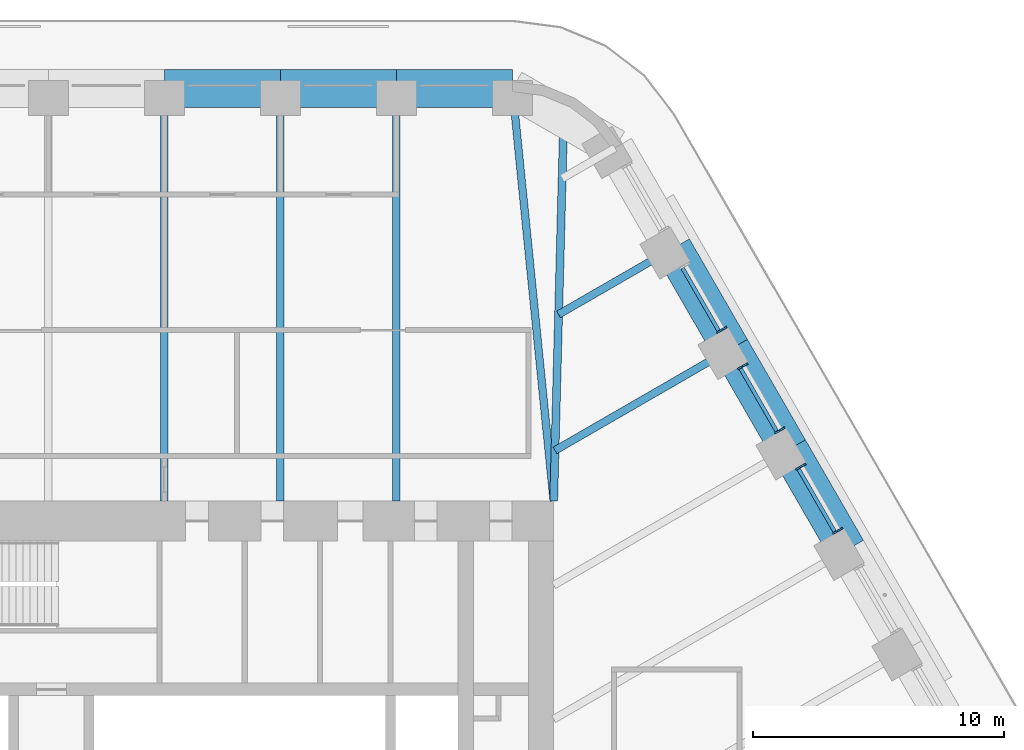
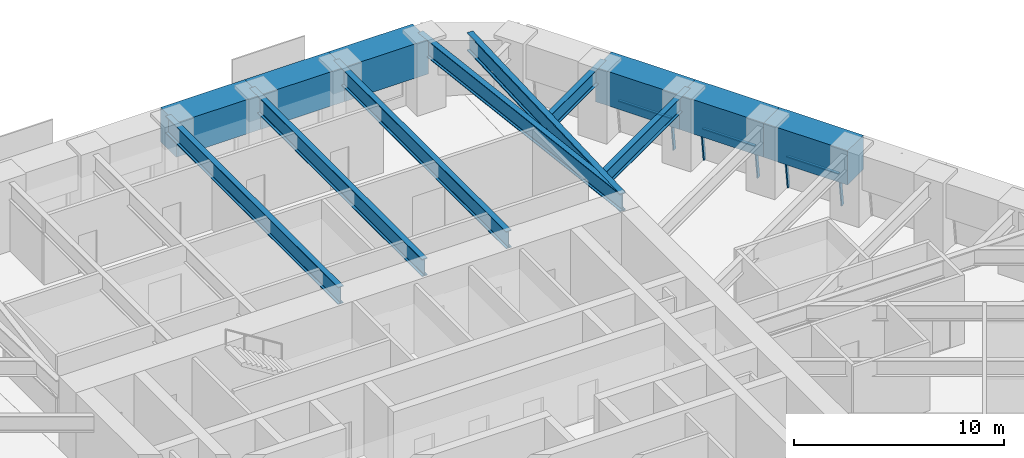
# One storey, part 11 of 20: 13 beams, 8 members, 3 elements without a shape of their own.
"""IFC4 building model written with IfcOpenShell, lengths in metres."""

from ifc_helpers import new_model, si_unit, direction, frame, origin, origin_2d, place, context, subcontext, project, spatial, rectangle, i_section, extrude, material, material_profile, profile_set, type_object, element, aggregate, save


model = new_model("IFC4")

# Units and contexts
model_context = context("Model", 3, precision=1e-05, world=origin(), true_north=direction((0.0, 1.0)))
body_context = subcontext(model_context, "Body", "Model", "MODEL_VIEW")
ifc_project = project(units=[si_unit("LENGTHUNIT", "METRE"), si_unit("AREAUNIT", "SQUARE_METRE"), si_unit("VOLUMEUNIT", "CUBIC_METRE"), si_unit("PLANEANGLEUNIT", "RADIAN"), si_unit("MASSUNIT", "GRAM", prefix="KILO")], contexts=[model_context])

# Site, building, storey
site_placement = place(None, origin())
site = spatial("IfcSite", under=ifc_project, at=site_placement, CompositionType="ELEMENT")
building_placement = place(site_placement, origin())
building = spatial("IfcBuilding", under=site, at=building_placement, Name="Tarfa Lantern Tower", CompositionType="ELEMENT")
storey_placement = place(building_placement, frame((0.0, 0.0, 219.699951171875)))
storey = spatial("IfcBuildingStorey", under=building, at=storey_placement, Name="L49", CompositionType="ELEMENT", Elevation=219.699951171875)

# Curtain wall, members
ifc_material_1 = material(Name="Aluminium framed curtain wall", Category="aluminium")
curtain_wall_type = type_object("IfcCurtainWallType", Name="CW3 CANTED GLAZING HIGH ZONE 2000", PredefinedType="USERDEFINED", material=ifc_material_1)
curtain_wall_1_placement = place(storey_placement, origin())
curtain_wall_1 = element("IfcCurtainWall", 1, at=curtain_wall_1_placement, inside=storey, type_object=curtain_wall_type, Name="CW3 NE L49", ObjectType="CURTAIN WALL", PredefinedType="USERDEFINED")
ifc_material_2 = material(Name="Aluminium mullion", Category="aluminium")
ifc_material_profile_1 = material_profile(ifc_material_2, rectangle(XDim=0.06494140625, YDim=0.199951171875, at=origin_2d()), Name="AL MULLION 65x200")
ifc_profile_set_1 = profile_set([ifc_material_profile_1], Name="Aluminium mullion")
member_type_1 = type_object("IfcMemberType", Name="CWM1 MULLION 65x200", PredefinedType="MULLION", material=ifc_profile_set_1)
member_1_placement = place(storey_placement, frame((26.92138671875, 11.1708984375, 0.0), z_axis=(-0.107439978116, -0.062017213975, 0.992275423596), x_axis=(0.499919672301, -0.866071776036, 0.0)))
member_1 = element("IfcMember", 2, at=member_1_placement, type_object=member_type_1, Name="CW3 mullion 1", PredefinedType="MULLION", context=body_context, shape_type="SweptSolid", body=[
    extrude(rectangle(XDim=0.06494140625, YDim=0.199951171875, at=origin_2d()), origin(), (0.0, 0.0, 1.0), 2.015625),
])
member_2_placement = place(storey_placement, frame((25.4443359375, 13.72900390625, 0.0), z_axis=(-0.107439978116, -0.062017213975, 0.992275423596), x_axis=(0.499919672301, -0.866071776036, 0.0)))
member_2 = element("IfcMember", 3, at=member_2_placement, type_object=member_type_1, Name="CW3 mullion 2", PredefinedType="MULLION", context=body_context, shape_type="SweptSolid", body=[
    extrude(rectangle(XDim=0.06494140625, YDim=0.199951171875, at=origin_2d()), origin(), (0.0, 0.0, 1.0), 2.015625),
])

curtain_wall_2_placement = place(storey_placement, origin())
curtain_wall_2 = element("IfcCurtainWall", 4, at=curtain_wall_2_placement, inside=storey, type_object=curtain_wall_type, Name="CW3 NE L49", ObjectType="CURTAIN WALL", PredefinedType="USERDEFINED")
member_3_placement = place(storey_placement, frame((24.61181640625, 15.1708984375, 0.0), z_axis=(-0.107439978116, -0.062017213975, 0.992275423596), x_axis=(0.499919672301, -0.866071776036, 0.0)))
member_3 = element("IfcMember", 5, at=member_3_placement, type_object=member_type_1, Name="CW3 mullion 1", PredefinedType="MULLION", context=body_context, shape_type="SweptSolid", body=[
    extrude(rectangle(XDim=0.06494140625, YDim=0.199951171875, at=origin_2d()), origin(), (0.0, 0.0, 1.0), 2.015625),
])
member_4_placement = place(storey_placement, frame((23.135009765625, 17.72900390625, 0.0), z_axis=(-0.107439978116, -0.062017213975, 0.992275423596), x_axis=(0.499919672301, -0.866071776036, 0.0)))
member_4 = element("IfcMember", 6, at=member_4_placement, type_object=member_type_1, Name="CW3 mullion 2", PredefinedType="MULLION", context=body_context, shape_type="SweptSolid", body=[
    extrude(rectangle(XDim=0.06494140625, YDim=0.199951171875, at=origin_2d()), origin(), (0.0, 0.0, 1.0), 2.015625),
])

# Curtain wall, member
curtain_wall_3_placement = place(storey_placement, origin())
curtain_wall_3 = element("IfcCurtainWall", 7, at=curtain_wall_3_placement, inside=storey, type_object=curtain_wall_type, Name="CW3 NE L49", ObjectType="CURTAIN WALL", PredefinedType="USERDEFINED")
member_5_placement = place(storey_placement, frame((22.302490234375, 19.1708984375, 0.0), z_axis=(-0.107439978116, -0.062017213975, 0.992275423596), x_axis=(0.499919672301, -0.866071776036, 0.0)))
member_5 = element("IfcMember", 8, at=member_5_placement, type_object=member_type_1, Name="CW3 mullion 1", PredefinedType="MULLION", context=body_context, shape_type="SweptSolid", body=[
    extrude(rectangle(XDim=0.06494140625, YDim=0.199951171875, at=origin_2d()), origin(), (0.0, 0.0, 1.0), 2.015625),
])

# Member
ifc_material_3 = material(Name="Aluminium transom", Category="aluminium")
ifc_material_profile_2 = material_profile(ifc_material_3, rectangle(XDim=0.14990234375, YDim=0.06494140625, at=origin_2d()), Name="AL TRANSOM 150x65")
ifc_profile_set_2 = profile_set([ifc_material_profile_2], Name="Aluminium transom")
member_type_2 = type_object("IfcMemberType", Name="CWT1 TRANSOM 150x65", PredefinedType="USERDEFINED", material=ifc_profile_set_2)
member_6_placement = place(storey_placement, frame((26.692138671875, 11.076171875, 1.967529296875), z_axis=(-0.500056524144, 0.865992767095, 0.0), x_axis=(-0.865992767095, -0.500056524144, 0.0)))
member_6 = element("IfcMember", 9, at=member_6_placement, type_object=member_type_2, Name="CW3 transom 1.2", ObjectType="TRANSOM", PredefinedType="USERDEFINED", context=body_context, shape_type="SweptSolid", body=[
    extrude(rectangle(XDim=0.14990234375, YDim=0.06494140625, at=origin_2d()), origin(), (0.0, 0.0, 1.0), 2.888916015625),
])

aggregate(curtain_wall_1, [member_1, member_2, member_6])

member_7_placement = place(storey_placement, frame((24.382568359375, 15.076171875, 1.967529296875), z_axis=(-0.499993141028, 0.866029363778, 0.0), x_axis=(-0.866029363778, -0.499993141028, 0.0)))
member_7 = element("IfcMember", 10, at=member_7_placement, type_object=member_type_2, Name="CW3 transom 1.2", ObjectType="TRANSOM", PredefinedType="USERDEFINED", context=body_context, shape_type="SweptSolid", body=[
    extrude(rectangle(XDim=0.14990234375, YDim=0.06494140625, at=origin_2d()), origin(), (0.0, 0.0, 1.0), 2.888671875),
])

aggregate(curtain_wall_2, [member_3, member_4, member_7])

member_8_placement = place(storey_placement, frame((22.0732421875, 19.076171875, 1.967529296875), z_axis=(-0.499993141028, 0.866029363778, 0.0), x_axis=(-0.866029363778, -0.499993141028, 0.0)))
member_8 = element("IfcMember", 11, at=member_8_placement, type_object=member_type_2, Name="CW3 transom 1.2", ObjectType="TRANSOM", PredefinedType="USERDEFINED", context=body_context, shape_type="SweptSolid", body=[
    extrude(rectangle(XDim=0.14990234375, YDim=0.06494140625, at=origin_2d()), origin(), (0.0, 0.0, 1.0), 2.888671875),
])

aggregate(curtain_wall_3, [member_5, member_8])

# Beams
ifc_material_4 = material(Name="Concrete C80/95", Category="concrete")
ifc_material_profile_3 = material_profile(ifc_material_4, rectangle(XDim=1.5, YDim=2.0, at=origin_2d()), Name="RC 1500x2000")
ifc_profile_set_3 = profile_set([ifc_material_profile_3], Name="Concrete C80/95")
beam_type_1 = type_object("IfcBeamType", Name="RB3 RC 1500x2000", PredefinedType="BEAM", material=ifc_profile_set_3)
beam_1_placement = place(storey_placement, frame((27.181640625, 10.360107421875, 3.0), z_axis=(-0.499987836815, 0.866032426089, 0.0), x_axis=(-0.866032426089, -0.499987836815, 0.0)))
element("IfcBeam", 12, at=beam_1_placement, inside=storey, type_object=beam_type_1, Name="Edge beam NE2", PredefinedType="BEAM", context=body_context, shape_type="SweptSolid", body=[
    extrude(rectangle(XDim=1.5, YDim=2.0, at=origin_2d()), origin(), (0.0, 0.0, 1.0), 4.61865234375),
])
beam_2_placement = place(storey_placement, frame((24.872314453125, 14.360107421875, 3.0), z_axis=(-0.500027479704, 0.866009537788, 0.0), x_axis=(-0.866009537788, -0.500027479704, 0.0)))
element("IfcBeam", 13, at=beam_2_placement, inside=storey, type_object=beam_type_1, Name="Edge beam NE3", PredefinedType="BEAM", context=body_context, shape_type="SweptSolid", body=[
    extrude(rectangle(XDim=1.5, YDim=2.0, at=origin_2d()), origin(), (0.0, 0.0, 1.0), 4.618896484375),
])
beam_3_placement = place(storey_placement, frame((22.562744140625, 18.360107421875, 3.0), z_axis=(-0.499987836815, 0.866032426089, 0.0), x_axis=(-0.866032426089, -0.499987836815, 0.0)))
element("IfcBeam", 14, at=beam_3_placement, inside=storey, type_object=beam_type_1, Name="Edge beam NE4", PredefinedType="BEAM", context=body_context, shape_type="SweptSolid", body=[
    extrude(rectangle(XDim=1.5, YDim=2.0, at=origin_2d()), origin(), (0.0, 0.0, 1.0), 4.61865234375),
])
beam_4_placement = place(storey_placement, frame((13.8564453125, 28.719970703125, 3.0), z_axis=(-1.0, 0.0, 0.0), x_axis=(0.0, -1.0, 0.0)))
element("IfcBeam", 15, at=beam_4_placement, inside=storey, type_object=beam_type_1, Name="Edge beam N0", PredefinedType="BEAM", context=body_context, shape_type="SweptSolid", body=[
    extrude(rectangle(XDim=1.5, YDim=2.0, at=origin_2d()), origin(), (0.0, 0.0, 1.0), 4.618896484375),
])
beam_5_placement = place(storey_placement, frame((9.237548828125, 28.719970703125, 3.0), z_axis=(-1.0, 0.0, 0.0), x_axis=(0.0, -1.0, 0.0)))
element("IfcBeam", 16, at=beam_5_placement, inside=storey, type_object=beam_type_1, Name="Edge beam N1", PredefinedType="BEAM", context=body_context, shape_type="SweptSolid", body=[
    extrude(rectangle(XDim=1.5, YDim=2.0, at=origin_2d()), origin(), (0.0, 0.0, 1.0), 4.61865234375),
])
beam_6_placement = place(storey_placement, frame((4.618896484375, 28.719970703125, 3.0), z_axis=(-1.0, 0.0, 0.0), x_axis=(0.0, -1.0, 0.0)))
element("IfcBeam", 17, at=beam_6_placement, inside=storey, type_object=beam_type_1, Name="Edge beam N2", PredefinedType="BEAM", context=body_context, shape_type="SweptSolid", body=[
    extrude(rectangle(XDim=1.5, YDim=2.0, at=origin_2d()), origin(), (0.0, 0.0, 1.0), 4.618896484375),
])
ifc_material_5 = material(Name="Steel S460M", Category="steel")
ifc_material_profile_4 = material_profile(ifc_material_5, i_section(OverallWidth=0.302001953125, OverallDepth=1.008056640625, WebThickness=0.02099609375, FlangeThickness=0.0400390625, FilletRadius=0.030029296875, at=origin_2d()), Name="UB1016x305x349")
ifc_profile_set_4 = profile_set([ifc_material_profile_4], Name="Steel S460M")
beam_type_2 = type_object("IfcBeamType", Name="UB1016x305x349", PredefinedType="BEAM", material=ifc_profile_set_4)
beam_7_placement = place(storey_placement, frame((13.8564453125, 28.719970703125, 3.49609375), z_axis=(0.099597466746, -0.995027810977, 0.0), x_axis=(0.995027810977, 0.099597466746, 0.0)))
element("IfcBeam", 18, at=beam_7_placement, inside=storey, type_object=beam_type_2, Name="Floor beam N0", PredefinedType="BEAM", context=body_context, shape_type="SweptSolid", body=[
    extrude(i_section(OverallWidth=0.302001953125, OverallDepth=1.008056640625, WebThickness=0.02099609375, FlangeThickness=0.0400390625, FilletRadius=0.030029296875, at=origin_2d()), origin(), (0.0, 0.0, 1.0), 16.501953125),
])
for number, where, z_axis, x_axis, name in (
    (19, (9.237548828125, 28.719970703125, 3.49609375), (0.0, -1.0, 0.0), (1.0, 0.0, 0.0), "Floor beam N1"),
    (20, (4.618896484375, 28.719970703125, 3.49609375), (0.0, -1.0, 0.0), (1.0, 0.0, 0.0), "Floor beam N2"),
    (21, (0.0, 28.719970703125, 3.49609375), (0.0, -1.0, 0.0), (1.0, 0.0, 0.0), "Floor beam N3"),
):
    element("IfcBeam", number, at=place(storey_placement, frame(where, z_axis=z_axis, x_axis=x_axis)), inside=storey, type_object=beam_type_2, Name=name, PredefinedType="BEAM", context=body_context, shape_type="SweptSolid", body=[
        extrude(i_section(OverallWidth=0.302001953125, OverallDepth=1.008056640625, WebThickness=0.02099609375, FlangeThickness=0.0400390625, FilletRadius=0.030029296875, at=origin_2d()), origin(), (0.0, 0.0, 1.0), 16.419921875),
    ])
ifc_material_profile_5 = material_profile(ifc_material_5, i_section(OverallWidth=0.314208984375, OverallDepth=1.055908203125, WebThickness=0.035888671875, FlangeThickness=0.06396484375, FilletRadius=0.030029296875, at=origin_2d()), Name="UB1016x305x584")
ifc_profile_set_5 = profile_set([ifc_material_profile_5], Name="Steel S460M")
beam_type_3 = type_object("IfcBeamType", Name="UB1016x305x584", PredefinedType="BEAM", material=ifc_profile_set_5)
beam_8_placement = place(storey_placement, frame((15.5, 12.300048828125, 3.47216796875), z_axis=(0.026247301989, 0.999655480222, 0.0), x_axis=(-0.999655480222, 0.026247301989, 0.0)))
element("IfcBeam", 22, at=beam_8_placement, inside=storey, type_object=beam_type_3, Name="Hip girder NE", PredefinedType="BEAM", context=body_context, shape_type="SweptSolid", body=[
    extrude(i_section(OverallWidth=0.314208984375, OverallDepth=1.055908203125, WebThickness=0.035888671875, FlangeThickness=0.06396484375, FilletRadius=0.030029296875, at=origin_2d()), origin(), (0.0, 0.0, 1.0), 15.245361328125),
])
ifc_material_profile_6 = material_profile(ifc_material_5, i_section(OverallWidth=0.305419921875, OverallDepth=0.91845703125, WebThickness=0.017333984375, FlangeThickness=0.02783203125, FilletRadius=0.01904296875, at=origin_2d()), Name="UB914x305x253")
ifc_profile_set_6 = profile_set([ifc_material_profile_6], Name="Steel S460M")
beam_type_4 = type_object("IfcBeamType", Name="UB914x305x253", PredefinedType="BEAM", material=ifc_profile_set_6)
beam_9_placement = place(storey_placement, frame((22.562744140625, 18.360107421875, 3.540771484375), z_axis=(-0.866010787764, -0.500025314835, 0.0), x_axis=(0.500025314835, -0.866010787764, 0.0)))
element("IfcBeam", 23, at=beam_9_placement, inside=storey, type_object=beam_type_4, Name="Floor beam NE4", PredefinedType="BEAM", context=body_context, shape_type="SweptSolid", body=[
    extrude(i_section(OverallWidth=0.305419921875, OverallDepth=0.91845703125, WebThickness=0.017333984375, FlangeThickness=0.02783203125, FilletRadius=0.01904296875, at=origin_2d()), origin(), (0.0, 0.0, 1.0), 8.09423828125),
])
beam_10_placement = place(storey_placement, frame((20.25341796875, 22.360107421875, 3.540771484375), z_axis=(-0.86601951648, -0.500010196972, 0.0), x_axis=(0.500010196972, -0.86601951648, 0.0)))
element("IfcBeam", 24, at=beam_10_placement, inside=storey, type_object=beam_type_4, Name="Floor beam NE5", PredefinedType="BEAM", context=body_context, shape_type="SweptSolid", body=[
    extrude(i_section(OverallWidth=0.305419921875, OverallDepth=0.91845703125, WebThickness=0.017333984375, FlangeThickness=0.02783203125, FilletRadius=0.01904296875, at=origin_2d()), origin(), (0.0, 0.0, 1.0), 5.263671875),
])

save(model, "model.ifc")
